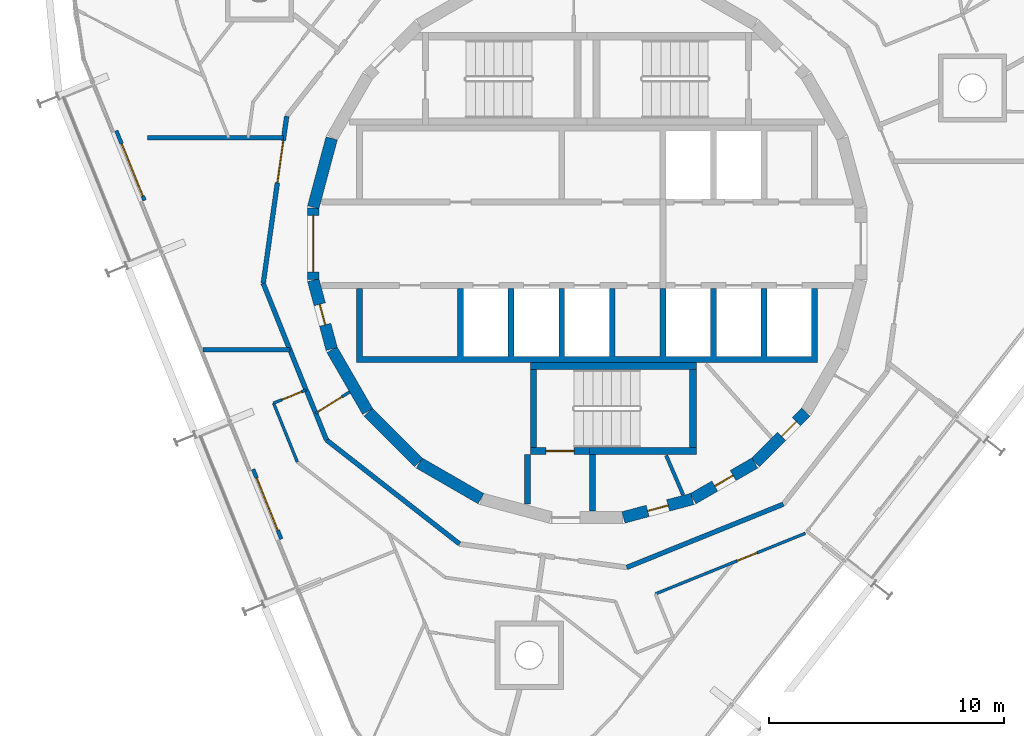
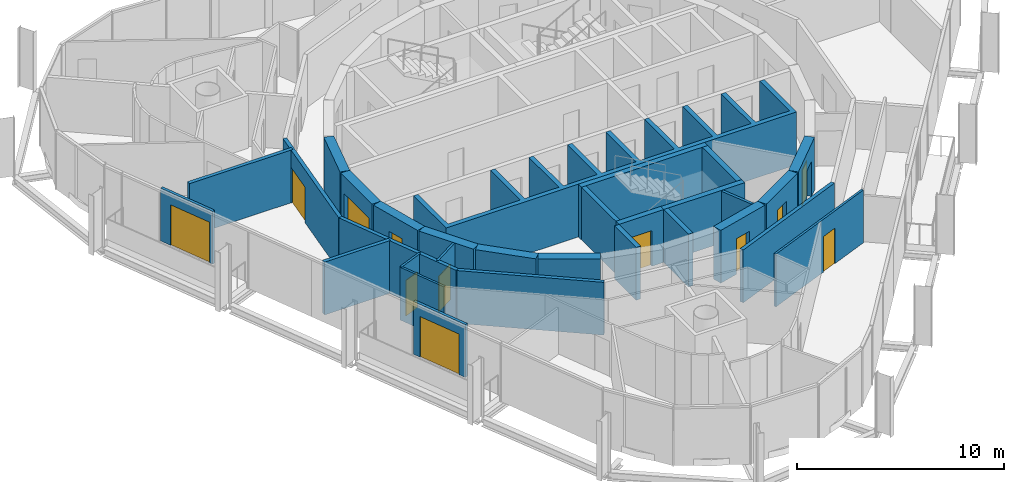
# One storey, part 10 of 15: 31 walls, 12 doors, 12 openings.
"""IFC4 building model written with IfcOpenShell, lengths in metres."""

from ifc_helpers import new_model, si_unit, direction, frame, frame_2d, origin, place, context, subcontext, project, spatial, polyline, rectangle, outline, extrude, material, layer, layer_set, type_object, element, fill, save


model = new_model("IFC4")

# Units and contexts
model_context = context("Model", 3, precision=1e-05, world=origin(), true_north=direction((0.0, 1.0)))
body_context = subcontext(model_context, "Body", "Model", "MODEL_VIEW")
ifc_project = project(units=[si_unit("LENGTHUNIT", "METRE"), si_unit("AREAUNIT", "SQUARE_METRE"), si_unit("VOLUMEUNIT", "CUBIC_METRE"), si_unit("PLANEANGLEUNIT", "RADIAN"), si_unit("MASSUNIT", "GRAM", prefix="KILO")], contexts=[model_context])

# Site, building, storey
site_placement = place(None, origin())
site = spatial("IfcSite", under=ifc_project, at=site_placement, CompositionType="ELEMENT")
building_placement = place(site_placement, origin())
building = spatial("IfcBuilding", under=site, at=building_placement, Name="Spindle Arch Residences", CompositionType="ELEMENT")
storey_placement = place(building_placement, frame((0.0, 0.0, 343.5)))
storey = spatial("IfcBuildingStorey", under=building, at=storey_placement, Name="L88", CompositionType="ELEMENT", Elevation=343.5)

# Wall, opening, door
ifc_material_1 = material(Name="Concrete C50/60", Category="concrete")
ifc_layer_1 = layer(ifc_material_1, 0.5)
ifc_layer_set_1 = layer_set([ifc_layer_1], Name="Core outline wall 500")
wall_type_1 = type_object("IfcWallType", Name="Core outline wall 500", PredefinedType="SHEAR", material=ifc_layer_set_1)
wall_1_placement = place(storey_placement, frame((1.5498046875, -11.642822265625, 0.0), z_axis=(0.0, 0.0, 1.0), x_axis=(0.965948410781, 0.258734743916, 0.0)))
wall_1 = element("IfcWall", 1, at=wall_1_placement, inside=storey, type_object=wall_type_1, Name="Core outline wall 1", PredefinedType="SHEAR", context=body_context, shape_type="SweptSolid", body=[
    extrude(rectangle(XDim=3.03271484375, YDim=0.5, at=frame_2d((1.516357421875, 0.0))), origin(), (0.0, 0.0, 1.0), 3.1201171875),
])
opening_1_placement = place(wall_1_placement, frame((1.06640625, 0.0, 0.0)))
opening_1 = element("IfcOpeningElement", 2, at=opening_1_placement, cuts=wall_1, Name="Opening R9B1-WD08", PredefinedType="OPENING", context=body_context, shape_type="SweptSolid", body=[
    extrude(rectangle(XDim=0.89990234375, YDim=2.10009765625, at=frame_2d((0.449951171875, 1.050048828125))), frame((0.0, 0.260009765625, 0.0), z_axis=(0.0, -1.0, 0.0), x_axis=(1.0, 0.0, 0.0)), (0.0, 0.0, 1.0), 0.52001953125),
])
ifc_material_2 = material(Name="Steel, fire-resisting door", Category="steel")
door_type_1 = type_object("IfcDoorType", Name="Service room door 900x2100", OperationType="SINGLE_SWING_LEFT", PredefinedType="DOOR", material=ifc_material_2)
door_1_placement = place(opening_1_placement, origin())
door_1 = element("IfcDoor", 3, at=door_1_placement, inside=storey, type_object=door_type_1, Name="Service room door R9B1-WD08", OperationType="SINGLE_SWING_RIGHT", OverallHeight=2.10009765625, OverallWidth=0.89990234375, PredefinedType="DOOR", context=body_context, shape_type="SweptSolid", body=[
    extrude(rectangle(XDim=0.89990234375, YDim=2.10009765625, at=frame_2d((0.449951171875, 1.050048828125))), frame((0.0, 0.02490234375, 0.0), z_axis=(0.0, -1.0, 0.0), x_axis=(1.0, 0.0, 0.0)), (0.0, 0.0, 1.0), 0.050048828125),
])
fill(opening_1, door_1)

wall_2_placement = place(storey_placement, frame((4.510498046875, -10.84521484375, 0.0), z_axis=(0.0, 0.0, 1.0), x_axis=(0.865975092491, 0.500087131594, 0.0)))
wall_2 = element("IfcWall", 4, at=wall_2_placement, inside=storey, type_object=wall_type_1, Name="Core outline wall 2", PredefinedType="SHEAR", context=body_context, shape_type="SweptSolid", body=[
    extrude(rectangle(XDim=3.03271484375, YDim=0.5, at=frame_2d((1.516357421875, 0.0))), origin(), (0.0, 0.0, 1.0), 3.1201171875),
])
opening_2_placement = place(wall_2_placement, frame((1.06640625, 0.0, 0.0)))
opening_2 = element("IfcOpeningElement", 5, at=opening_2_placement, cuts=wall_2, Name="Opening R9B1-WD09", PredefinedType="OPENING", context=body_context, shape_type="SweptSolid", body=[
    extrude(rectangle(XDim=0.89990234375, YDim=2.10009765625, at=frame_2d((0.449951171875, 1.050048828125))), frame((0.0, 0.260009765625, 0.0), z_axis=(0.0, -1.0, 0.0), x_axis=(1.0, 0.0, 0.0)), (0.0, 0.0, 1.0), 0.52001953125),
])
door_2_placement = place(opening_2_placement, origin())
door_2 = element("IfcDoor", 6, at=door_2_placement, inside=storey, type_object=door_type_1, Name="Service room door R9B1-WD09", OperationType="SINGLE_SWING_LEFT", OverallHeight=2.10009765625, OverallWidth=0.89990234375, PredefinedType="DOOR", context=body_context, shape_type="SweptSolid", body=[
    extrude(rectangle(XDim=0.89990234375, YDim=2.10009765625, at=frame_2d((0.449951171875, 1.050048828125))), frame((0.0, 0.02490234375, 0.0), z_axis=(0.0, -1.0, 0.0), x_axis=(1.0, 0.0, 0.0)), (0.0, 0.0, 1.0), 0.050048828125),
])
fill(opening_2, door_2)

wall_3_placement = place(storey_placement, frame((7.163818359375, -9.30810546875, 0.0), z_axis=(0.0, 0.0, 1.0), x_axis=(0.707106781187, 0.707106781187, 0.0)))
wall_3 = element("IfcWall", 7, at=wall_3_placement, inside=storey, type_object=wall_type_1, Name="Core outline wall 3", PredefinedType="SHEAR", context=body_context, shape_type="SweptSolid", body=[
    extrude(rectangle(XDim=3.032470703125, YDim=0.5, at=frame_2d((1.51611328125, 0.0))), origin(), (0.0, 0.0, 1.0), 3.1201171875),
])
opening_3_placement = place(wall_3_placement, frame((1.56640625, 0.0, 0.0)))
opening_3 = element("IfcOpeningElement", 8, at=opening_3_placement, cuts=wall_3, Name="Opening R9B1-WD07", PredefinedType="OPENING", context=body_context, shape_type="SweptSolid", body=[
    extrude(rectangle(XDim=0.89990234375, YDim=2.10009765625, at=frame_2d((0.449951171875, 1.050048828125))), frame((0.0, 0.260009765625, 0.0), z_axis=(0.0, -1.0, 0.0), x_axis=(1.0, 0.0, 0.0)), (0.0, 0.0, 1.0), 0.52001953125),
])
door_3_placement = place(opening_3_placement, origin())
door_3 = element("IfcDoor", 9, at=door_3_placement, inside=storey, type_object=door_type_1, Name="Service room door R9B1-WD07", OperationType="SINGLE_SWING_LEFT", OverallHeight=2.10009765625, OverallWidth=0.89990234375, PredefinedType="DOOR", context=body_context, shape_type="SweptSolid", body=[
    extrude(rectangle(XDim=0.89990234375, YDim=2.10009765625, at=frame_2d((0.449951171875, 1.050048828125))), frame((0.0, 0.02490234375, 0.0), z_axis=(0.0, -1.0, 0.0), x_axis=(1.0, 0.0, 0.0)), (0.0, 0.0, 1.0), 0.050048828125),
])
fill(opening_3, door_3)

# Wall
wall_4_placement = place(storey_placement, frame((-10.858154296875, 4.479248046875, 0.0), z_axis=(0.0, 0.0, 1.0), x_axis=(-0.258734743916, -0.965948410781, 0.0)))
element("IfcWall", 10, at=wall_4_placement, inside=storey, type_object=wall_type_1, Name="Core outline wall 17", PredefinedType="SHEAR", context=body_context, shape_type="SweptSolid", body=[
    extrude(rectangle(XDim=3.03271484375, YDim=0.5, at=frame_2d((1.516357421875, 0.0))), origin(), (0.0, 0.0, 1.0), 3.1201171875),
])

# Wall, opening, door
wall_5_placement = place(storey_placement, frame((-11.647216796875, 1.516357421875, 0.0), z_axis=(0.0, 0.0, 1.0), x_axis=(0.0, -1.0, 0.0)))
wall_5 = element("IfcWall", 11, at=wall_5_placement, inside=storey, type_object=wall_type_1, Name="Core outline wall 18", PredefinedType="SHEAR", context=body_context, shape_type="SweptSolid", body=[
    extrude(rectangle(XDim=3.03271484375, YDim=0.5, at=frame_2d((1.516357421875, 0.0))), origin(), (0.0, 0.0, 1.0), 3.1201171875),
])
opening_4_placement = place(wall_5_placement, frame((0.31640625, 0.0, 0.0)))
opening_4 = element("IfcOpeningElement", 12, at=opening_4_placement, cuts=wall_5, Name="Opening R9B1-LE01", PredefinedType="OPENING", context=body_context, shape_type="SweptSolid", body=[
    extrude(rectangle(XDim=2.39990234375, YDim=2.10009765625, at=frame_2d((1.199951171875, 1.050048828125))), frame((0.0, 0.260009765625, 0.0), z_axis=(0.0, -1.0, 0.0), x_axis=(1.0, 0.0, 0.0)), (0.0, 0.0, 1.0), 0.52001953125),
])
ifc_material_3 = material(Name="Steel, fire-resisting door", Category="steel")
door_type_2 = type_object("IfcDoorType", Name="Lift lobby entrance door 2400x2100", OperationType="DOUBLE_DOOR_SINGLE_SWING", PredefinedType="DOOR", material=ifc_material_3)
door_4_placement = place(opening_4_placement, origin())
door_4 = element("IfcDoor", 13, at=door_4_placement, inside=storey, type_object=door_type_2, Name="Lift lobby entrance door R9B1-LE01", OperationType="DOUBLE_DOOR_SINGLE_SWING", OverallHeight=2.10009765625, OverallWidth=2.39990234375, PredefinedType="DOOR", context=body_context, shape_type="SweptSolid", body=[
    extrude(rectangle(XDim=2.39990234375, YDim=2.10009765625, at=frame_2d((1.199951171875, 1.050048828125))), frame((0.0, 0.02490234375, 0.0), z_axis=(0.0, -1.0, 0.0), x_axis=(1.0, 0.0, 0.0)), (0.0, 0.0, 1.0), 0.050048828125),
])
fill(opening_4, door_4)

wall_6_placement = place(storey_placement, frame((-11.642822265625, -1.5498046875, 0.0), z_axis=(0.0, 0.0, 1.0), x_axis=(0.258734743916, -0.965948410781, 0.0)))
wall_6 = element("IfcWall", 14, at=wall_6_placement, inside=storey, type_object=wall_type_1, Name="Core outline wall 19", PredefinedType="SHEAR", context=body_context, shape_type="SweptSolid", body=[
    extrude(rectangle(XDim=3.03271484375, YDim=0.5, at=frame_2d((1.516357421875, 0.0))), origin(), (0.0, 0.0, 1.0), 3.1201171875),
])
opening_5_placement = place(wall_6_placement, frame((1.06640625, 0.0, 0.0)))
opening_5 = element("IfcOpeningElement", 15, at=opening_5_placement, cuts=wall_6, Name="Opening R9B1-WD10", PredefinedType="OPENING", context=body_context, shape_type="SweptSolid", body=[
    extrude(rectangle(XDim=0.89990234375, YDim=2.10009765625, at=frame_2d((0.449951171875, 1.050048828125))), frame((0.0, 0.260009765625, 0.0), z_axis=(0.0, -1.0, 0.0), x_axis=(1.0, 0.0, 0.0)), (0.0, 0.0, 1.0), 0.52001953125),
])
door_5_placement = place(opening_5_placement, origin())
door_5 = element("IfcDoor", 16, at=door_5_placement, inside=storey, type_object=door_type_1, Name="Service room door R9B1-WD10", OperationType="SINGLE_SWING_RIGHT", OverallHeight=2.10009765625, OverallWidth=0.89990234375, PredefinedType="DOOR", context=body_context, shape_type="SweptSolid", body=[
    extrude(rectangle(XDim=0.89990234375, YDim=2.10009765625, at=frame_2d((0.449951171875, 1.050048828125))), frame((0.0, 0.02490234375, 0.0), z_axis=(0.0, -1.0, 0.0), x_axis=(1.0, 0.0, 0.0)), (0.0, 0.0, 1.0), 0.050048828125),
])
fill(opening_5, door_5)

# Walls
wall_7_placement = place(storey_placement, frame((-10.84521484375, -4.510498046875, 0.0), z_axis=(0.0, 0.0, 1.0), x_axis=(0.500087131594, -0.865975092491, 0.0)))
element("IfcWall", 17, at=wall_7_placement, inside=storey, type_object=wall_type_1, Name="Core outline wall 20", PredefinedType="SHEAR", context=body_context, shape_type="SweptSolid", body=[
    extrude(rectangle(XDim=3.03271484375, YDim=0.5, at=frame_2d((1.516357421875, 0.0))), origin(), (0.0, 0.0, 1.0), 3.1201171875),
])
wall_8_placement = place(storey_placement, frame((-9.30810546875, -7.163818359375, 0.0), z_axis=(0.0, 0.0, 1.0), x_axis=(0.707106781187, -0.707106781187, 0.0)))
element("IfcWall", 18, at=wall_8_placement, inside=storey, type_object=wall_type_1, Name="Core outline wall 21", PredefinedType="SHEAR", context=body_context, shape_type="SweptSolid", body=[
    extrude(rectangle(XDim=3.032470703125, YDim=0.5, at=frame_2d((1.51611328125, 0.0))), origin(), (0.0, 0.0, 1.0), 3.1201171875),
])
wall_9_placement = place(storey_placement, frame((-7.13671875, -9.32861328125, 0.0), z_axis=(0.0, 0.0, 1.0), x_axis=(0.865975092491, -0.500087131594, 0.0)))
element("IfcWall", 19, at=wall_9_placement, inside=storey, type_object=wall_type_1, Name="Core outline wall 22", PredefinedType="SHEAR", context=body_context, shape_type="SweptSolid", body=[
    extrude(rectangle(XDim=3.03271484375, YDim=0.5, at=frame_2d((1.516357421875, 0.0))), origin(), (0.0, 0.0, 1.0), 3.1201171875),
])

# Wall, opening, door
ifc_material_4 = material(Name="Plasterboard on steel studs", Category="steel")
ifc_layer_2 = layer(ifc_material_4, 0.1201171875)
ifc_layer_set_2 = layer_set([ifc_layer_2], Name="Corridor division wall 120")
wall_type_2 = type_object("IfcWallType", Name="Corridor division wall 120", PredefinedType="PARTITIONING", material=ifc_layer_set_2)
wall_10_placement = place(storey_placement, frame((-11.539306640625, -7.21044921875, 0.0), z_axis=(0.0, 0.0, 1.0), x_axis=(0.848103039868, 0.529831325769, 0.0)))
wall_10 = element("IfcWall", 20, at=wall_10_placement, inside=storey, type_object=wall_type_2, Name="Corridor division wall R9B1-W003", PredefinedType="PARTITIONING", context=body_context, shape_type="SweptSolid", body=[
    extrude(rectangle(XDim=1.7021484375, YDim=0.1201171875, at=frame_2d((0.85107421875, 0.0))), origin(), (0.0, 0.0, 1.0), 3.1201171875),
])
opening_6_placement = place(wall_10_placement, frame((0.1201171875, 0.0, 0.0)))
opening_6 = element("IfcOpeningElement", 21, at=opening_6_placement, cuts=wall_10, Name="Opening R9B1-CD03", PredefinedType="OPENING", context=body_context, shape_type="SweptSolid", body=[
    extrude(rectangle(XDim=1.199951171875, YDim=2.10009765625, at=frame_2d((0.60009765625, 1.050048828125))), frame((0.0, 0.070068359375, 0.0), z_axis=(0.0, -1.0, 0.0), x_axis=(1.0, 0.0, 0.0)), (0.0, 0.0, 1.0), 0.14013671875),
])
ifc_material_5 = material(Name="Steel, fire-resisting door", Category="steel")
door_type_3 = type_object("IfcDoorType", Name="Corridor division door 1200x2100", OperationType="NOTDEFINED", PredefinedType="DOOR", material=ifc_material_5)
door_6_placement = place(opening_6_placement, origin())
door_6 = element("IfcDoor", 22, at=door_6_placement, inside=storey, type_object=door_type_3, Name="Corridor division door R9B1-CD03", OperationType="DOUBLE_DOOR_SINGLE_SWING", OverallHeight=2.10009765625, OverallWidth=1.199951171875, PredefinedType="DOOR", context=body_context, shape_type="SweptSolid", body=[
    extrude(rectangle(XDim=1.199951171875, YDim=2.10009765625, at=frame_2d((0.60009765625, 1.050048828125))), frame((0.0, 0.02490234375, 0.0), z_axis=(0.0, -1.0, 0.0), x_axis=(1.0, 0.0, 0.0)), (0.0, 0.0, 1.0), 0.050048828125),
])
fill(opening_6, door_6)

# Walls
ifc_material_6 = material(Name="Calcium silicate block, plastered")
ifc_layer_3 = layer(ifc_material_6, 0.199951171875)
ifc_layer_set_3 = layer_set([ifc_layer_3], Name="Corridor wall 200")
wall_type_3 = type_object("IfcWallType", Name="Corridor wall 200", PredefinedType="STANDARD", material=ifc_layer_set_3)
wall_11_placement = place(storey_placement, frame((-11.939453125, -6.2197265625, 0.0), z_axis=(0.0, 0.0, 1.0), x_axis=(0.374651128394, -0.927165860024, 0.0)))
element("IfcWall", 23, at=wall_11_placement, inside=storey, type_object=wall_type_3, Name="Corridor wall R9B1-W013", PredefinedType="STANDARD", context=body_context, shape_type="SweptSolid", body=[
    extrude(rectangle(XDim=2.29638671875, YDim=0.199951171875, at=frame_2d((1.148193359375, 0.0))), origin(), (0.0, 0.0, 1.0), 3.1201171875),
])
for number, where, z_axis, x_axis, name in (
    (24, (-11.0791015625, -8.348876953125, 0.0), (0.0, 0.0, 1.0), (0.78800478687, -0.615669112324, 0.0), "Corridor wall R9B1-W014"),
    (25, (1.690673828125, -13.769287109375, 0.0), (0.0, 0.0, 1.0), (0.92717916932, 0.374618189599, 0.0), "Corridor wall R9B1-W016"),
):
    element("IfcWall", number, at=place(storey_placement, frame(where, z_axis=z_axis, x_axis=x_axis)), inside=storey, type_object=wall_type_3, Name=name, PredefinedType="STANDARD", context=body_context, shape_type="SweptSolid", body=[
        extrude(rectangle(XDim=7.18115234375, YDim=0.199951171875, at=frame_2d((3.590576171875, 0.0))), origin(), (0.0, 0.0, 1.0), 3.1201171875),
    ])

# Wall, opening, door
ifc_material_7 = material(Name="Plasterboard on steel studs", Category="steel")
ifc_layer_4 = layer(ifc_material_7, 0.1201171875)
ifc_layer_set_4 = layer_set([ifc_layer_4], Name="Flat partition 120")
wall_type_4 = type_object("IfcWallType", Name="Flat partition 120", PredefinedType="PARTITIONING", material=ifc_layer_set_4)
wall_12_placement = place(storey_placement, frame((-11.953369140625, -6.225341796875, 0.0), z_axis=(0.0, 0.0, 1.0), x_axis=(-0.927144096717, -0.374704982518, 0.0)))
wall_12 = element("IfcWall", 26, at=wall_12_placement, inside=storey, type_object=wall_type_4, Name="Flat partition R9B1-W072", PredefinedType="PARTITIONING", context=body_context, shape_type="SweptSolid", body=[
    extrude(rectangle(XDim=1.48486328125, YDim=0.1201171875, at=frame_2d((0.742431640625, 0.0))), origin(), (0.0, 0.0, 1.0), 3.1201171875),
])
opening_7_placement = place(wall_12_placement, frame((0.199951171875, 0.0, 0.0)))
opening_7 = element("IfcOpeningElement", 27, at=opening_7_placement, cuts=wall_12, Name="Opening R9B1-ID15", PredefinedType="OPENING", context=body_context, shape_type="SweptSolid", body=[
    extrude(rectangle(XDim=0.89990234375, YDim=2.10009765625, at=frame_2d((0.449951171875, 1.050048828125))), frame((0.0, 0.070068359375, 0.0), z_axis=(0.0, -1.0, 0.0), x_axis=(1.0, 0.0, 0.0)), (0.0, 0.0, 1.0), 0.14013671875),
])
ifc_material_8 = material(Name="Timber door set", Category="wood")
door_type_4 = type_object("IfcDoorType", Name="Room door 900x2100", OperationType="NOTDEFINED", PredefinedType="DOOR", material=ifc_material_8)
door_7_placement = place(opening_7_placement, origin())
door_7 = element("IfcDoor", 28, at=door_7_placement, inside=storey, type_object=door_type_4, Name="Room door R9B1-ID15", OperationType="SINGLE_SWING_LEFT", OverallHeight=2.10009765625, OverallWidth=0.89990234375, PredefinedType="DOOR", context=body_context, shape_type="SweptSolid", body=[
    extrude(rectangle(XDim=0.89990234375, YDim=2.10009765625, at=frame_2d((0.449951171875, 1.050048828125))), frame((0.0, 0.02490234375, 0.0), z_axis=(0.0, -1.0, 0.0), x_axis=(1.0, 0.0, 0.0)), (0.0, 0.0, 1.0), 0.050048828125),
])
fill(opening_7, door_7)

# Wall
wall_13_placement = place(storey_placement, frame((-13.330078125, -6.78173828125, 0.0), z_axis=(0.0, 0.0, 1.0), x_axis=(0.374602180132, -0.927185637637, 0.0)))
element("IfcWall", 29, at=wall_13_placement, inside=storey, type_object=wall_type_4, Name="Flat partition R9B1-W073", PredefinedType="PARTITIONING", context=body_context, shape_type="SweptSolid", body=[
    extrude(rectangle(XDim=2.6982421875, YDim=0.1201171875, at=frame_2d((1.34912109375, 0.0))), origin(), (0.0, 0.0, 1.0), 3.1201171875),
])

# Wall, opening, door
wall_14_placement = place(storey_placement, frame((2.912109375, -14.8935546875, 0.0), z_axis=(0.0, 0.0, 1.0), x_axis=(0.927182280165, 0.374610490174, 0.0)))
wall_14 = element("IfcWall", 30, at=wall_14_placement, inside=storey, type_object=wall_type_4, Name="Flat partition R9B1-W087", PredefinedType="PARTITIONING", context=body_context, shape_type="SweptSolid", body=[
    extrude(rectangle(XDim=6.871826171875, YDim=0.1201171875, at=frame_2d((3.43603515625, 0.0))), origin(), (0.0, 0.0, 1.0), 3.1201171875),
])
opening_8_placement = place(wall_14_placement, frame((3.748291015625, 0.0, 0.0)))
opening_8 = element("IfcOpeningElement", 31, at=opening_8_placement, cuts=wall_14, Name="Opening R9B1-ID19", PredefinedType="OPENING", context=body_context, shape_type="SweptSolid", body=[
    extrude(rectangle(XDim=0.89990234375, YDim=2.10009765625, at=frame_2d((0.449951171875, 1.050048828125))), frame((0.0, 0.070068359375, 0.0), z_axis=(0.0, -1.0, 0.0), x_axis=(1.0, 0.0, 0.0)), (0.0, 0.0, 1.0), 0.14013671875),
])
door_8_placement = place(opening_8_placement, origin())
door_8 = element("IfcDoor", 32, at=door_8_placement, inside=storey, type_object=door_type_4, Name="Room door R9B1-ID19", OperationType="SINGLE_SWING_LEFT", OverallHeight=2.10009765625, OverallWidth=0.89990234375, PredefinedType="DOOR", context=body_context, shape_type="SweptSolid", body=[
    extrude(rectangle(XDim=0.89990234375, YDim=2.10009765625, at=frame_2d((0.449951171875, 1.050048828125))), frame((0.0, 0.02490234375, 0.0), z_axis=(0.0, -1.0, 0.0), x_axis=(1.0, 0.0, 0.0)), (0.0, 0.0, 1.0), 0.050048828125),
])
fill(opening_8, door_8)

ifc_material_9 = material(Name="Non-combustible mineral wool insulated aluminium faced external wall (K0)", Category="aluminium")
ifc_layer_5 = layer(ifc_material_9, 0.159912109375)
ifc_layer_set_5 = layer_set([ifc_layer_5], Name="Insulated external wall panel 160")
wall_type_5 = type_object("IfcWallType", Name="Insulated external wall panel 160", PredefinedType="STANDARD", material=ifc_layer_set_5)
wall_15_placement = place(storey_placement, frame((-20.01611328125, 4.805908203125, 0.0), z_axis=(0.0, 0.0, 1.0), x_axis=(0.374598019739, -0.927187318511, 0.0)))
wall_15 = element("IfcWall", 33, at=wall_15_placement, inside=storey, type_object=wall_type_5, Name="External wall L88 bay 12", PredefinedType="STANDARD", context=body_context, shape_type="SweptSolid", body=[
    extrude(rectangle(XDim=3.199951171875, YDim=0.159912109375, at=frame_2d((1.60009765625, 0.0))), origin(), (0.0, 0.0, 1.0), 3.1201171875),
])
opening_9_placement = place(wall_15_placement, frame((0.60009765625, 0.0, 0.0)))
opening_9 = element("IfcOpeningElement", 34, at=opening_9_placement, cuts=wall_15, Name="Opening BD12", PredefinedType="OPENING", context=body_context, shape_type="SweptSolid", body=[
    extrude(rectangle(XDim=2.39990234375, YDim=2.39990234375, at=frame_2d((1.199951171875, 1.199951171875))), frame((0.0, 0.08984375, 0.0), z_axis=(0.0, -1.0, 0.0), x_axis=(1.0, 0.0, 0.0)), (0.0, 0.0, 1.0), 0.179931640625),
])
ifc_material_10 = material(Name="Bronze aluminium frame, tinted double glazing", Category="aluminium")
door_type_5 = type_object("IfcDoorType", Name="Sliding glazed balcony door 2400x2400", OperationType="DOUBLE_DOOR_SLIDING", PredefinedType="DOOR", material=ifc_material_10)
door_9_placement = place(opening_9_placement, origin())
door_9 = element("IfcDoor", 35, at=door_9_placement, inside=storey, type_object=door_type_5, Name="Balcony door BD12", OperationType="DOUBLE_DOOR_SLIDING", OverallHeight=2.39990234375, OverallWidth=2.39990234375, PredefinedType="DOOR", context=body_context, shape_type="SweptSolid", body=[
    extrude(rectangle(XDim=2.39990234375, YDim=2.39990234375, at=frame_2d((1.199951171875, 1.199951171875))), frame((0.0, 0.02490234375, 0.0), z_axis=(0.0, -1.0, 0.0), x_axis=(1.0, 0.0, 0.0)), (0.0, 0.0, 1.0), 0.050048828125),
])
fill(opening_9, door_9)

wall_16_placement = place(storey_placement, frame((-14.1982421875, -9.594482421875, 0.0), z_axis=(0.0, 0.0, 1.0), x_axis=(0.374624519695, -0.927176611678, 0.0)))
wall_16 = element("IfcWall", 36, at=wall_16_placement, inside=storey, type_object=wall_type_5, Name="External wall L88 bay 14", PredefinedType="STANDARD", context=body_context, shape_type="SweptSolid", body=[
    extrude(rectangle(XDim=3.19970703125, YDim=0.159912109375, at=frame_2d((1.599853515625, 0.0))), origin(), (0.0, 0.0, 1.0), 3.1201171875),
])
opening_10_placement = place(wall_16_placement, frame((0.39990234375, 0.0, 0.0)))
opening_10 = element("IfcOpeningElement", 37, at=opening_10_placement, cuts=wall_16, Name="Opening BD14", PredefinedType="OPENING", context=body_context, shape_type="SweptSolid", body=[
    extrude(rectangle(XDim=2.39990234375, YDim=2.39990234375, at=frame_2d((1.199951171875, 1.199951171875))), frame((0.0, 0.08984375, 0.0), z_axis=(0.0, -1.0, 0.0), x_axis=(1.0, 0.0, 0.0)), (0.0, 0.0, 1.0), 0.179931640625),
])
door_10_placement = place(opening_10_placement, origin())
door_10 = element("IfcDoor", 38, at=door_10_placement, inside=storey, type_object=door_type_5, Name="Balcony door BD14", OperationType="DOUBLE_DOOR_SLIDING", OverallHeight=2.39990234375, OverallWidth=2.39990234375, PredefinedType="DOOR", context=body_context, shape_type="SweptSolid", body=[
    extrude(rectangle(XDim=2.39990234375, YDim=2.39990234375, at=frame_2d((1.199951171875, 1.199951171875))), frame((0.0, 0.02490234375, 0.0), z_axis=(0.0, -1.0, 0.0), x_axis=(1.0, 0.0, 0.0)), (0.0, 0.0, 1.0), 0.050048828125),
])
fill(opening_10, door_10)

ifc_material_11 = material(Name="Calcium silicate block, plastered")
ifc_layer_6 = layer(ifc_material_11, 0.199951171875)
ifc_layer_set_6 = layer_set([ifc_layer_6], Name="Lift lobby bay wall 200")
wall_type_6 = type_object("IfcWallType", Name="Lift lobby bay wall 200", PredefinedType="STANDARD", material=ifc_layer_set_6)
wall_17_placement = place(storey_placement, frame((-12.77001953125, 5.42041015625, 0.0), z_axis=(0.0, 0.0, 1.0), x_axis=(-0.139155334385, -0.990270565508, 0.0)))
wall_17 = element("IfcWall", 39, at=wall_17_placement, inside=storey, type_object=wall_type_6, Name="Lift lobby bay wall R9B1-W009", PredefinedType="STANDARD", context=body_context, shape_type="SweptSolid", body=[
    extrude(rectangle(XDim=7.180908203125, YDim=0.199951171875, at=frame_2d((3.59033203125, 0.0))), origin(), (0.0, 0.0, 1.0), 3.1201171875),
])
opening_11_placement = place(wall_17_placement, frame((1.0546875, 0.0, 0.0)))
opening_11 = element("IfcOpeningElement", 40, at=opening_11_placement, cuts=wall_17, Name="Opening R9B1-LB01", PredefinedType="OPENING", context=body_context, shape_type="SweptSolid", body=[
    extrude(rectangle(XDim=1.800048828125, YDim=2.10009765625, at=frame_2d((0.89990234375, 1.050048828125))), frame((0.0, 0.10986328125, 0.0), z_axis=(0.0, -1.0, 0.0), x_axis=(1.0, 0.0, 0.0)), (0.0, 0.0, 1.0), 0.219970703125),
])
ifc_material_12 = material(Name="Steel, fire-resisting door", Category="steel")
door_type_6 = type_object("IfcDoorType", Name="Lift lobby bay door 1800x2100", OperationType="NOTDEFINED", PredefinedType="DOOR", material=ifc_material_12)
door_11_placement = place(opening_11_placement, origin())
door_11 = element("IfcDoor", 41, at=door_11_placement, inside=storey, type_object=door_type_6, Name="Lift lobby bay door R9B1-LB01", OperationType="DOUBLE_DOOR_SINGLE_SWING", OverallHeight=2.10009765625, OverallWidth=1.800048828125, PredefinedType="DOOR", context=body_context, shape_type="SweptSolid", body=[
    extrude(rectangle(XDim=1.800048828125, YDim=2.10009765625, at=frame_2d((0.89990234375, 1.050048828125))), frame((0.0, 0.02490234375, 0.0), z_axis=(0.0, -1.0, 0.0), x_axis=(1.0, 0.0, 0.0)), (0.0, 0.0, 1.0), 0.050048828125),
])
fill(opening_11, door_11)

# Walls
wall_18_placement = place(storey_placement, frame((-13.769287109375, -1.690673828125, 0.0), z_axis=(0.0, 0.0, 1.0), x_axis=(0.372720094028, -0.927943819155, 0.0)))
element("IfcWall", 42, at=wall_18_placement, inside=storey, type_object=wall_type_6, Name="Lift lobby bay wall R9B1-W010", PredefinedType="STANDARD", context=body_context, shape_type="SweptSolid", body=[
    extrude(rectangle(XDim=4.874755859375, YDim=0.199951171875, at=frame_2d((2.4375, 0.0))), origin(), (0.0, 0.0, 1.0), 3.1201171875),
])
wall_19_placement = place(storey_placement, frame((-12.8994140625, 4.5, 0.0), z_axis=(0.0, 0.0, 1.0), x_axis=(-1.0, 0.0, 0.0)))
element("IfcWall", 43, at=wall_19_placement, inside=storey, type_object=wall_type_6, Name="Lift lobby bay wall R9B1-W017", PredefinedType="STANDARD", context=body_context, shape_type="SweptSolid", body=[
    extrude(rectangle(XDim=5.800537109375, YDim=0.199951171875, at=frame_2d((2.900390625, 0.0))), origin(), (0.0, 0.0, 1.0), 3.1201171875),
])
wall_20_placement = place(storey_placement, frame((-16.338623046875, -4.510009765625, 0.0), z_axis=(0.0, 0.0, 1.0), x_axis=(1.0, 0.0, 0.0)))
element("IfcWall", 44, at=wall_20_placement, inside=storey, type_object=wall_type_6, Name="Lift lobby bay wall R9B1-W018", PredefinedType="STANDARD", context=body_context, shape_type="SweptSolid", body=[
    extrude(rectangle(XDim=3.697509765625, YDim=0.199951171875, at=frame_2d((1.8486328125, 0.0))), origin(), (0.0, 0.0, 1.0), 3.1201171875),
])
ifc_material_13 = material(Name="Concrete C50/60", Category="concrete")
wall_type_7 = type_object("IfcWallType", Name="Lift shaft wall profile", PredefinedType="SHEAR", material=ifc_material_13)
wall_21_placement = place(storey_placement, origin())
element("IfcWall", 45, at=wall_21_placement, inside=storey, type_object=wall_type_7, Name="Lift shaft walls S", PredefinedType="SHEAR", context=body_context, shape_type="SweptSolid", body=[
    extrude(outline(polyline([(9.800048828125, -5.050048828125), (9.800048828125, -4.800048828125), (9.800048828125, -1.89990234375), (9.550048828125, -1.89990234375), (9.550048828125, -4.800048828125), (7.64990234375, -4.800048828125), (7.64990234375, -1.89990234375), (7.39990234375, -1.89990234375), (7.39990234375, -4.800048828125), (5.5, -4.800048828125), (5.5, -1.89990234375), (5.25, -1.89990234375), (5.25, -4.800048828125), (3.35009765625, -4.800048828125), (3.35009765625, -1.89990234375), (3.10009765625, -1.89990234375), (3.10009765625, -4.800048828125), (1.199951171875, -4.800048828125), (1.199951171875, -1.89990234375), (0.949951171875, -1.89990234375), (0.949951171875, -4.800048828125), (-0.949951171875, -4.800048828125), (-0.949951171875, -1.89990234375), (-1.199951171875, -1.89990234375), (-1.199951171875, -4.800048828125), (-3.10009765625, -4.800048828125), (-3.10009765625, -1.89990234375), (-3.35009765625, -1.89990234375), (-3.35009765625, -4.800048828125), (-5.25, -4.800048828125), (-5.25, -1.89990234375), (-5.5, -1.89990234375), (-5.5, -4.800048828125), (-9.550048828125, -4.800048828125), (-9.550048828125, -1.89990234375), (-9.800048828125, -1.89990234375), (-9.800048828125, -4.800048828125), (-9.800048828125, -5.050048828125), (9.800048828125, -5.050048828125)])), origin(), (0.0, 0.0, 1.0), 3.1201171875),
])
ifc_material_14 = material(Name="Concrete C25/30", Category="concrete")
ifc_layer_7 = layer(ifc_material_14, 0.14990234375)
ifc_layer_set_7 = layer_set([ifc_layer_7], Name="Service room partition 150")
wall_type_8 = type_object("IfcWallType", Name="Service room partition 150", PredefinedType="PARTITIONING", material=ifc_layer_set_7)
wall_22_placement = place(storey_placement, frame((3.366943359375, -9.0068359375, 0.0), z_axis=(0.0, 0.0, 1.0), x_axis=(0.394387482265, -0.918944238696, 0.0)))
element("IfcWall", 46, at=wall_22_placement, inside=storey, type_object=wall_type_8, Name="Core service room partition", PredefinedType="PARTITIONING", context=body_context, shape_type="SweptSolid", body=[
    extrude(rectangle(XDim=1.824951171875, YDim=0.14990234375, at=frame_2d((0.91259765625, 0.0))), origin(), (0.0, 0.0, 1.0), 3.1201171875),
])
ifc_material_15 = material(Name="Concrete C40/50", Category="concrete")
ifc_layer_8 = layer(ifc_material_15, 0.25)
ifc_layer_set_8 = layer_set([ifc_layer_8], Name="Stair airlock wall 250")
wall_type_9 = type_object("IfcWallType", Name="Stair airlock wall 250", PredefinedType="SHEAR", material=ifc_layer_set_8)
wall_23_placement = place(storey_placement, frame((-2.52490234375, -8.969970703125, 0.0), z_axis=(0.0, 0.0, 1.0), x_axis=(0.0, -1.0, 0.0)))
element("IfcWall", 47, at=wall_23_placement, inside=storey, type_object=wall_type_9, Name="Stair ST-3 airlock wall W", PredefinedType="SHEAR", context=body_context, shape_type="SweptSolid", body=[
    extrude(rectangle(XDim=2.110107421875, YDim=0.25, at=frame_2d((1.05517578125, 0.0))), origin(), (0.0, 0.0, 1.0), 3.1201171875),
])
wall_24_placement = place(storey_placement, frame((0.22509765625, -8.969970703125, 0.0), z_axis=(0.0, 0.0, 1.0), x_axis=(0.0, -1.0, 0.0)))
element("IfcWall", 48, at=wall_24_placement, inside=storey, type_object=wall_type_9, Name="Stair ST-3 airlock wall E", PredefinedType="SHEAR", context=body_context, shape_type="SweptSolid", body=[
    extrude(rectangle(XDim=2.409912109375, YDim=0.25, at=frame_2d((1.205078125, 0.0))), origin(), (0.0, 0.0, 1.0), 3.1201171875),
])
ifc_material_16 = material(Name="Concrete C50/60", Category="concrete")
ifc_layer_9 = layer(ifc_material_16, 0.25)
ifc_layer_set_9 = layer_set([ifc_layer_9], Name="Stair enclosure wall 250")
wall_type_10 = type_object("IfcWallType", Name="Stair enclosure wall 250", PredefinedType="SHEAR", material=ifc_layer_set_9)
wall_25_placement = place(storey_placement, frame((-2.27490234375, -8.669921875, 0.0), z_axis=(0.0, 0.0, 1.0), x_axis=(0.0, 1.0, 0.0)))
element("IfcWall", 49, at=wall_25_placement, inside=storey, type_object=wall_type_10, Name="Stair ST-3 enclosure wall W", PredefinedType="SHEAR", context=body_context, shape_type="SweptSolid", body=[
    extrude(rectangle(XDim=3.31982421875, YDim=0.25, at=frame_2d((1.659912109375, 0.0))), origin(), (0.0, 0.0, 1.0), 3.1201171875),
])
ifc_material_17 = material(Name="Concrete C50/60", Category="concrete")
ifc_layer_10 = layer(ifc_material_17, 0.300048828125)
ifc_layer_set_10 = layer_set([ifc_layer_10], Name="Stair enclosure wall 300")
wall_type_11 = type_object("IfcWallType", Name="Stair enclosure wall 300", PredefinedType="SHEAR", material=ifc_layer_set_10)
wall_26_placement = place(storey_placement, frame((-2.39990234375, -5.199951171875, 0.0), z_axis=(0.0, 0.0, 1.0), x_axis=(1.0, 0.0, 0.0)))
element("IfcWall", 50, at=wall_26_placement, inside=storey, type_object=wall_type_11, Name="Stair ST-3 enclosure wall N", PredefinedType="SHEAR", context=body_context, shape_type="SweptSolid", body=[
    extrude(rectangle(XDim=7.0498046875, YDim=0.300048828125, at=frame_2d((3.52490234375, 0.0))), origin(), (0.0, 0.0, 1.0), 3.1201171875),
])
wall_27_placement = place(storey_placement, frame((4.5, -8.669921875, 0.0), z_axis=(0.0, 0.0, 1.0), x_axis=(0.0, 1.0, 0.0)))
element("IfcWall", 51, at=wall_27_placement, inside=storey, type_object=wall_type_11, Name="Stair ST-3 enclosure wall E", PredefinedType="SHEAR", context=body_context, shape_type="SweptSolid", body=[
    extrude(rectangle(XDim=3.31982421875, YDim=0.300048828125, at=frame_2d((1.659912109375, 0.0))), origin(), (0.0, 0.0, 1.0), 3.1201171875),
])
wall_28_placement = place(storey_placement, frame((0.10009765625, -8.820068359375, 0.0), z_axis=(0.0, 0.0, 1.0), x_axis=(1.0, 0.0, 0.0)))
element("IfcWall", 52, at=wall_28_placement, inside=storey, type_object=wall_type_11, Name="Stair ST-3 enclosure wall S", PredefinedType="SHEAR", context=body_context, shape_type="SweptSolid", body=[
    extrude(rectangle(XDim=4.5498046875, YDim=0.300048828125, at=frame_2d((2.27490234375, 0.0))), origin(), (0.0, 0.0, 1.0), 3.1201171875),
])

# Wall, opening, door
wall_29_placement = place(storey_placement, frame((-2.39990234375, -8.820068359375, 0.0), z_axis=(0.0, 0.0, 1.0), x_axis=(1.0, 0.0, 0.0)))
wall_29 = element("IfcWall", 53, at=wall_29_placement, inside=storey, type_object=wall_type_11, Name="Stair ST-3 door wall", PredefinedType="SHEAR", context=body_context, shape_type="SweptSolid", body=[
    extrude(rectangle(XDim=2.5, YDim=0.300048828125, at=frame_2d((1.25, 0.0))), origin(), (0.0, 0.0, 1.0), 3.1201171875),
])
opening_12_placement = place(wall_29_placement, frame((0.64990234375, 0.0, 0.0)))
opening_12 = element("IfcOpeningElement", 54, at=opening_12_placement, cuts=wall_29, Name="Opening R9B1-SD03", PredefinedType="OPENING", context=body_context, shape_type="SweptSolid", body=[
    extrude(rectangle(XDim=1.199951171875, YDim=2.10009765625, at=frame_2d((0.60009765625, 1.050048828125))), frame((0.0, 0.16015625, 0.0), z_axis=(0.0, -1.0, 0.0), x_axis=(1.0, 0.0, 0.0)), (0.0, 0.0, 1.0), 0.320068359375),
])
ifc_material_18 = material(Name="Steel, fire-resisting door", Category="steel")
door_type_7 = type_object("IfcDoorType", Name="Stair door 1200x2100", OperationType="SINGLE_SWING_RIGHT", PredefinedType="DOOR", material=ifc_material_18)
door_12_placement = place(opening_12_placement, origin())
door_12 = element("IfcDoor", 55, at=door_12_placement, inside=storey, type_object=door_type_7, Name="Stair door R9B1-SD03", OperationType="SINGLE_SWING_LEFT", OverallHeight=2.10009765625, OverallWidth=1.199951171875, PredefinedType="DOOR", context=body_context, shape_type="SweptSolid", body=[
    extrude(rectangle(XDim=1.199951171875, YDim=2.10009765625, at=frame_2d((0.60009765625, 1.050048828125))), frame((0.0, 0.02490234375, 0.0), z_axis=(0.0, -1.0, 0.0), x_axis=(1.0, 0.0, 0.0)), (0.0, 0.0, 1.0), 0.050048828125),
])
fill(opening_12, door_12)

save(model, "model.ifc")
